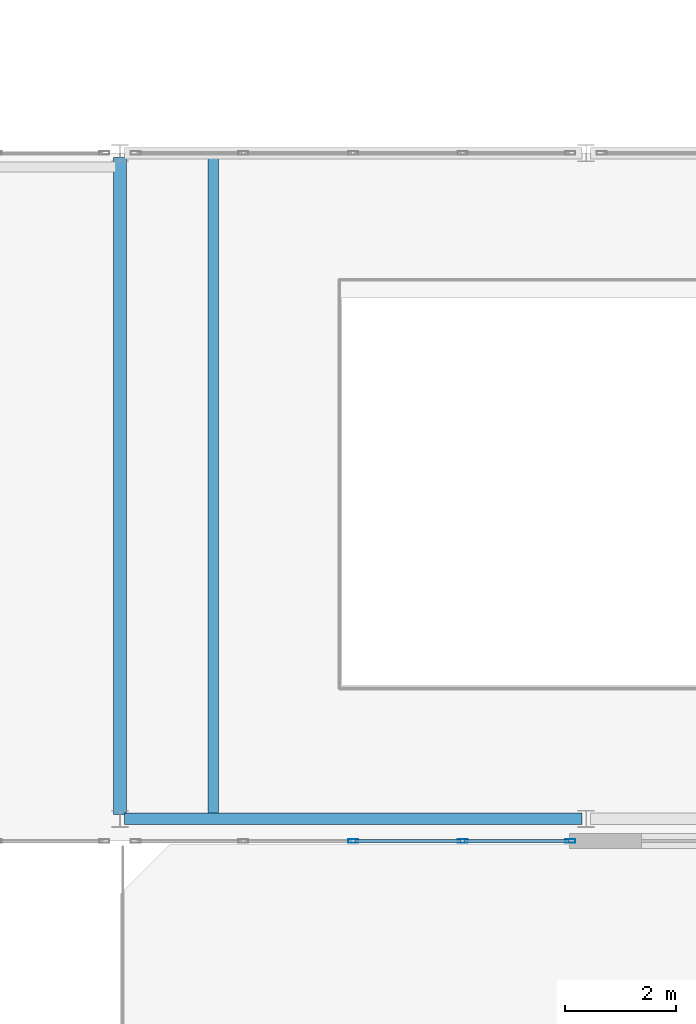
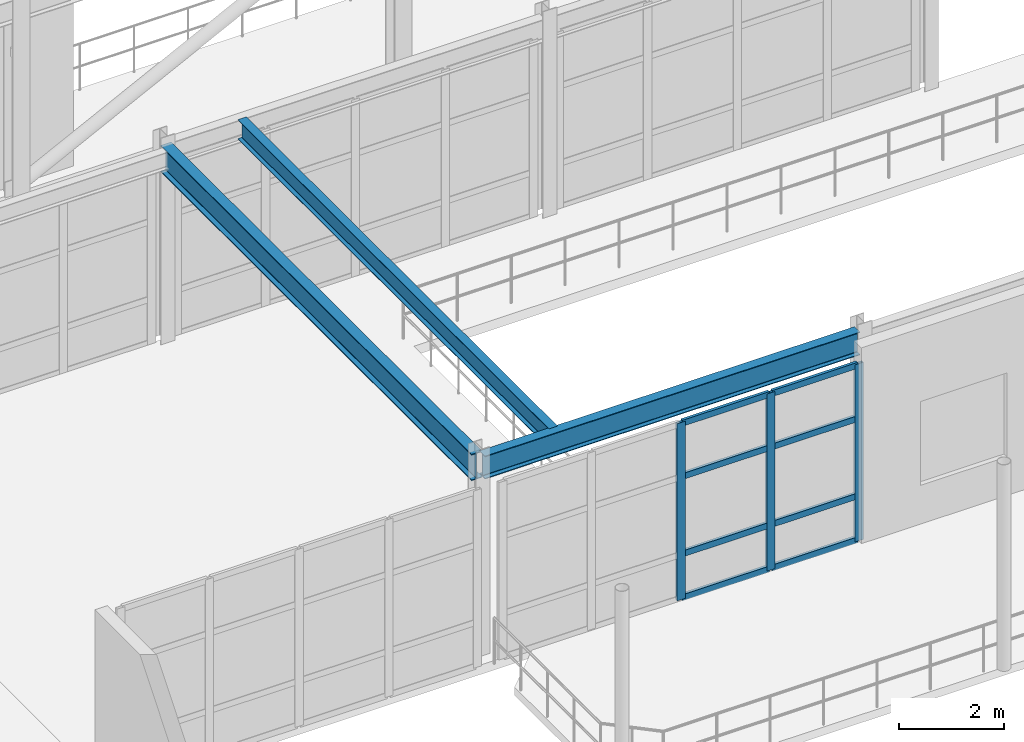
# One storey, part 27 of 116: 11 members, 3 beams, 1 element without a shape of its own.
"""IFC4 building model written with IfcOpenShell, lengths in metres."""

import ifcopenshell
import ifcopenshell.guid

model = None  # the IFC model being written
_history = None  # IfcOwnerHistory: only IFC2X3 demands one
_inside = {}  # id of a spatial element -> (the spatial element, [elements in it])
_under = {}  # id of a project, library or spatial element -> (it, [spatial elements below it])
_declared = {}  # id of a project -> (the project, [libraries it declares])
_typed = {}  # id of a type object -> (the type object, [elements of that type])
_made_of = {}  # id of a material, layer set ... -> (it, [elements and type objects made of it])


def new_model(schema):
    """Start an empty IFC model of exactly this schema.

    Asked for "IFC4X3", IfcOpenShell would pick the latest addendum, in which some entities
    have other attributes; the version numbers below select the first issue.
    IFC2X3 requires an IfcOwnerHistory on every rooted entity: one is made here for all.
    """
    global model, _history
    if schema == "IFC4X3":
        model = ifcopenshell.file(schema_version=(4, 3, 0, 0))
    else:
        model = ifcopenshell.file(schema=schema)
    _inside.clear()
    _under.clear()
    _declared.clear()
    _typed.clear()
    _made_of.clear()
    _history = None
    if model.schema == "IFC2X3":
        org = make("IfcOrganization", Name="unknown")
        user = make(
            "IfcPersonAndOrganization",
            ThePerson=make("IfcPerson", FamilyName="unknown"),
            TheOrganization=org,
        )
        app = make(
            "IfcApplication",
            ApplicationDeveloper=org,
            Version="unknown",
            ApplicationFullName="unknown",
            ApplicationIdentifier="unknown",
        )
        _history = make(
            "IfcOwnerHistory",
            OwningUser=user,
            OwningApplication=app,
            ChangeAction="ADDED",
            CreationDate=0,
        )
    return model


def make(cls, **values):
    """One entity of the class cls with the attributes given. An attribute that is None is left unset."""
    return model.create_entity(
        cls, **{name: value for name, value in values.items() if value is not None}
    )


def rooted(cls, **values):
    """An entity with a GlobalId (a new one), such as an element, a storey or a relation."""
    return make(cls, GlobalId=ifcopenshell.guid.new(), OwnerHistory=_history, **values)


def si_unit(unit_type, name, prefix=None):
    """IfcSIUnit, for example si_unit("LENGTHUNIT", "METRE", prefix="MILLI")."""
    return make("IfcSIUnit", UnitType=unit_type, Prefix=prefix, Name=name)


def assignment(units):
    """IfcUnitAssignment: the units of a project."""
    return None if units is None else make("IfcUnitAssignment", Units=units)


def point(xyz):
    """IfcCartesianPoint."""
    return None if xyz is None else make("IfcCartesianPoint", Coordinates=xyz)


def direction(xyz):
    """IfcDirection."""
    return None if xyz is None else make("IfcDirection", DirectionRatios=xyz)


def frame(location, z_axis=None, x_axis=None):
    """IfcAxis2Placement3D, a coordinate frame: its origin and axes. An axis left out is left unset."""
    return make(
        "IfcAxis2Placement3D",
        Location=point(location),
        Axis=direction(z_axis),
        RefDirection=direction(x_axis),
    )


def frame_2d(location, x_axis=None):
    """IfcAxis2Placement2D, a coordinate frame in the plane: its origin and x axis."""
    return make(
        "IfcAxis2Placement2D", Location=point(location), RefDirection=direction(x_axis)
    )


def origin():
    """The frame at (0, 0, 0) with its axes left unset."""
    return frame((0.0, 0.0, 0.0))


def origin_2d():
    """The frame at (0, 0) in the plane with its x axis left unset."""
    return frame_2d((0.0, 0.0))


def place(relative_to, where):
    """IfcLocalPlacement: puts the frame where relative to a parent placement (None: the world)."""
    return make(
        "IfcLocalPlacement", PlacementRelTo=relative_to, RelativePlacement=where
    )


def context(
    kind, dimensions, precision=None, world=None, true_north=None, identifier=None
):
    """IfcGeometricRepresentationContext, for example the 3D "Model" context."""
    return make(
        "IfcGeometricRepresentationContext",
        ContextIdentifier=identifier,
        ContextType=kind,
        CoordinateSpaceDimension=dimensions,
        Precision=precision,
        WorldCoordinateSystem=world,
        TrueNorth=true_north,
    )


def subcontext(parent, identifier, kind, view, scale=None):
    """IfcGeometricRepresentationSubContext, for example "Body" below "Model"."""
    return make(
        "IfcGeometricRepresentationSubContext",
        ContextIdentifier=identifier,
        ContextType=kind,
        ParentContext=parent,
        TargetScale=scale,
        TargetView=view,
    )


def project(units=None, contexts=None):
    """IfcProject with its units and contexts."""
    return rooted(
        "IfcProject",
        Name="project",
        RepresentationContexts=contexts,
        UnitsInContext=assignment(units),
    )


def spatial(cls, under=None, at=None, **own):
    """A site, building, storey or space (cls), placed at a placement, below another one or the project."""
    s = rooted(cls, ObjectPlacement=at, **own)
    if under is not None:
        _under.setdefault(under.id(), (under, []))[1].append(s)
    return s


def profile(cls, at=None, kind="AREA", **sizes):
    """A parametric profile (cls). Its sizes go by their IFC names, for example OverallWidth=200.0."""
    return make(cls, ProfileType=kind, Position=at, **sizes)


def hollow_rectangle(**sizes):
    """IfcRectangleHollowProfileDef."""
    return profile("IfcRectangleHollowProfileDef", **sizes)


def i_section(**sizes):
    """IfcIShapeProfileDef."""
    return profile("IfcIShapeProfileDef", **sizes)


def extrude(swept, where, along, depth):
    """IfcExtrudedAreaSolid: the profile swept, set in the frame where, extruded along a direction by depth."""
    return make(
        "IfcExtrudedAreaSolid",
        SweptArea=swept,
        Position=where,
        ExtrudedDirection=direction(along),
        Depth=depth,
    )


def shape(context_of_items, identifier, shape_type, items):
    """IfcShapeRepresentation: the items that make up one representation, for example the "Body"."""
    return make(
        "IfcShapeRepresentation",
        ContextOfItems=context_of_items,
        RepresentationIdentifier=identifier,
        RepresentationType=shape_type,
        Items=items,
    )


def material(Name=None, Category=None):
    """IfcMaterial."""
    return make("IfcMaterial", Name=Name, Category=Category)


def layer(
    of_material, thickness, ventilated=None, Name=None, Category=None, Priority=None
):
    """IfcMaterialLayer: one layer of a wall or slab, of a material (None: an air gap)."""
    return make(
        "IfcMaterialLayer",
        Material=of_material,
        LayerThickness=thickness,
        IsVentilated=ventilated,
        Name=Name,
        Category=Category,
        Priority=Priority,
    )


def layer_set(layers, Name=None):
    """IfcMaterialLayerSet."""
    return make("IfcMaterialLayerSet", MaterialLayers=layers, LayerSetName=Name)


def material_profile(
    of_material, cross_section, Name=None, Category=None, Priority=None
):
    """IfcMaterialProfile: a cross section and its material."""
    return make(
        "IfcMaterialProfile",
        Name=Name,
        Material=of_material,
        Profile=cross_section,
        Priority=Priority,
        Category=Category,
    )


def profile_set(profiles, Name=None, composite=None):
    """IfcMaterialProfileSet."""
    return make(
        "IfcMaterialProfileSet",
        Name=Name,
        MaterialProfiles=profiles,
        CompositeProfile=composite,
    )


def made_of(thing, what):
    """Note that an element or type object is made of a material, layer set ...; save() writes the relation."""
    if what is not None:
        _made_of.setdefault(what.id(), (what, []))[1].append(thing)
    return thing


def type_object(cls, material=None, **own):
    """A type object (cls), such as IfcWallType, which elements share."""
    return made_of(rooted(cls, **own), material)


def element(
    cls,
    number,
    at=None,
    inside=None,
    cuts=None,
    type_object=None,
    material=None,
    context=None,
    identifier="Body",
    shape_type=None,
    held_by="IfcProductDefinitionShape",
    body=None,
    shapes=None,
    **own,
):
    """One element of the class cls, such as IfcWall. Its Tag is "e" and its number.

    at: its placement. inside: the storey or other place that contains it. cuts: it is an
    opening in that element (IfcRelVoidsElement). A single representation is given by context,
    identifier, shape_type and body (its items); several are given by shapes. held_by: the class
    of the entity that holds the representations. save() writes the other relations.
    """
    e = rooted(cls, Tag="e%d" % number, ObjectPlacement=at, **own)
    if body is not None:
        shapes = [shape(context, identifier, shape_type, body)]
    if shapes is not None:
        e.Representation = make(held_by, Representations=shapes)
    if inside is not None:
        _inside.setdefault(inside.id(), (inside, []))[1].append(e)
    if cuts is not None:
        rooted(
            "IfcRelVoidsElement", RelatingBuildingElement=cuts, RelatedOpeningElement=e
        )
    if type_object is not None:
        _typed.setdefault(type_object.id(), (type_object, []))[1].append(e)
    return made_of(e, material)


def aggregate(whole, parts):
    """IfcRelAggregates: a whole, such as a stair, and the parts it consists of."""
    return rooted("IfcRelAggregates", RelatingObject=whole, RelatedObjects=parts)


def save(model, path):
    """Write the relations noted so far, then the file.

    IfcRelAggregates (storeys below a building ...), IfcRelContainedInSpatialStructure (elements
    in a storey), IfcRelDefinesByType, IfcRelAssociatesMaterial and IfcRelDeclares: one each for
    every whole, place, type object, material and project.
    """
    for whole, parts in _under.values():
        aggregate(whole, parts)
    for where, things in _inside.values():
        rooted(
            "IfcRelContainedInSpatialStructure",
            RelatedElements=things,
            RelatingStructure=where,
        )
    for kind, things in _typed.values():
        rooted("IfcRelDefinesByType", RelatedObjects=things, RelatingType=kind)
    for what, things in _made_of.values():
        rooted("IfcRelAssociatesMaterial", RelatedObjects=things, RelatingMaterial=what)
    for by, libraries in _declared.values():
        rooted("IfcRelDeclares", RelatingContext=by, RelatedDefinitions=libraries)
    model.write(path)


model = new_model("IFC4")

# Units and contexts
model_context = context("Model", 3, precision=1e-05, world=origin(), true_north=direction((0.0, 1.0)))
body_context = subcontext(model_context, "Body", "Model", "MODEL_VIEW")
ifc_project = project(units=[si_unit("LENGTHUNIT", "METRE"), si_unit("AREAUNIT", "SQUARE_METRE"), si_unit("VOLUMEUNIT", "CUBIC_METRE"), si_unit("PLANEANGLEUNIT", "RADIAN"), si_unit("MASSUNIT", "GRAM", prefix="KILO")], contexts=[model_context])

# Site, building, storey
site_placement = place(None, origin())
site = spatial("IfcSite", under=ifc_project, at=site_placement, CompositionType="ELEMENT")
building_placement = place(site_placement, origin())
building = spatial("IfcBuilding", under=site, at=building_placement, Name="Selat Folded Stagehouse", CompositionType="ELEMENT")
storey_placement = place(building_placement, frame((0.0, 0.0, 5.39990234375)))
storey = spatial("IfcBuildingStorey", under=building, at=storey_placement, Name="L01", CompositionType="ELEMENT", Elevation=5.39990234375)

# Beams
ifc_material_1 = material(Name="Steel S355", Category="steel")
ifc_material_profile_1 = material_profile(ifc_material_1, i_section(OverallWidth=0.209228515625, OverallDepth=0.533203125, WebThickness=0.010009765625, FlangeThickness=0.015625, FilletRadius=0.0126953125, at=origin_2d()), Name="UKB 533x210x92")
ifc_profile_set_1 = profile_set([ifc_material_profile_1], Name="Steel S355")
beam_type_1 = type_object("IfcBeamType", Name="BM-GIRD-533x210x92", PredefinedType="BEAM", material=ifc_profile_set_1)
beam_1_placement = place(storey_placement, frame((42.076904296875, 5.800048828125, 4.3134765625), z_axis=(1.0, 0.0, 0.0), x_axis=(0.0, 1.0, 0.0)))
element("IfcBeam", 1, at=beam_1_placement, inside=storey, type_object=beam_type_1, Name="L01 primary x-girder 0757", PredefinedType="BEAM", context=body_context, shape_type="SweptSolid", body=[
    extrude(i_section(OverallWidth=0.209228515625, OverallDepth=0.533203125, WebThickness=0.010009765625, FlangeThickness=0.015625, FilletRadius=0.0126953125, at=origin_2d()), origin(), (0.0, 0.0, 1.0), 8.24609375),
])
ifc_material_profile_2 = material_profile(ifc_material_1, i_section(OverallWidth=0.230224609375, OverallDepth=0.6171875, WebThickness=0.01318359375, FlangeThickness=0.022216796875, FilletRadius=0.0126953125, at=origin_2d()), Name="UKB 610x229x140")
ifc_profile_set_2 = profile_set([ifc_material_profile_2], Name="Steel S355")
beam_type_2 = type_object("IfcBeamType", Name="BM-GIRD-610x229x140", PredefinedType="BEAM", material=ifc_profile_set_2)
beam_2_placement = place(storey_placement, frame((42.0, 5.876953125, 4.271484375), z_axis=(0.0, 1.0, 0.0), x_axis=(-1.0, 0.0, 0.0)))
element("IfcBeam", 2, at=beam_2_placement, inside=storey, type_object=beam_type_2, Name="L01 primary y-girder 0819", PredefinedType="BEAM", context=body_context, shape_type="SweptSolid", body=[
    extrude(i_section(OverallWidth=0.230224609375, OverallDepth=0.6171875, WebThickness=0.01318359375, FlangeThickness=0.022216796875, FilletRadius=0.0126953125, at=origin_2d()), origin(), (0.0, 0.0, 1.0), 11.845947265625),
])

# Curtain wall, members
ifc_material_2 = material(Name="Aluminium 6063-T6", Category="aluminium")
ifc_layer = layer(ifc_material_2, 0.2099609375)
ifc_layer_set = layer_set([ifc_layer], Name="Aluminium 6063-T6")
curtain_wall_type = type_object("IfcCurtainWallType", Name="CW-FYR-SOUTH", PredefinedType="NOTDEFINED", material=ifc_layer_set)
curtain_wall_placement = place(storey_placement, origin())
curtain_wall = element("IfcCurtainWall", 3, at=curtain_wall_placement, inside=storey, type_object=curtain_wall_type, Name="L01 curtain wall CW-FYR-L01-01", PredefinedType="NOTDEFINED")
ifc_material_profile_3 = material_profile(ifc_material_2, hollow_rectangle(XDim=0.06494140625, YDim=0.179931640625, WallThickness=0.00390625, at=origin_2d()), Name="ALU 180x65x4.0")
ifc_profile_set_3 = profile_set([ifc_material_profile_3], Name="Aluminium 6063-T6")
member_type_1 = type_object("IfcMemberType", Name="CWM-MUL-180x65", PredefinedType="MULLION", material=ifc_profile_set_3)
member_1_placement = place(storey_placement, frame((50.117431640625, 5.39990234375, 0.0), z_axis=(0.0, 0.0, 1.0), x_axis=(0.0, -1.0, 0.0)))
member_1 = element("IfcMember", 4, at=member_1_placement, type_object=member_type_1, Name="CW-04 mullion 1", PredefinedType="MULLION", context=body_context, shape_type="SweptSolid", body=[
    extrude(hollow_rectangle(XDim=0.06494140625, YDim=0.179931640625, WallThickness=0.00390625, at=origin_2d()), origin(), (0.0, 0.0, 1.0), 4.1201171875),
])
member_2_placement = place(storey_placement, frame((48.175048828125, 5.39990234375, 0.0), z_axis=(0.0, 0.0, 1.0), x_axis=(0.0, -1.0, 0.0)))
member_2 = element("IfcMember", 5, at=member_2_placement, type_object=member_type_1, Name="CW-04 mullion 2", PredefinedType="MULLION", context=body_context, shape_type="SweptSolid", body=[
    extrude(hollow_rectangle(XDim=0.06494140625, YDim=0.179931640625, WallThickness=0.00390625, at=origin_2d()), origin(), (0.0, 0.0, 1.0), 4.1201171875),
])
member_3_placement = place(storey_placement, frame((46.199951171875, 5.39990234375, 0.0), z_axis=(0.0, 0.0, 1.0), x_axis=(0.0, -1.0, 0.0)))
member_3 = element("IfcMember", 6, at=member_3_placement, type_object=member_type_1, Name="CW-04 mullion 3", PredefinedType="MULLION", context=body_context, shape_type="SweptSolid", body=[
    extrude(hollow_rectangle(XDim=0.06494140625, YDim=0.179931640625, WallThickness=0.00390625, at=origin_2d()), origin(), (0.0, 0.0, 1.0), 4.1201171875),
])
ifc_material_profile_4 = material_profile(ifc_material_2, hollow_rectangle(XDim=0.06494140625, YDim=0.139892578125, WallThickness=0.00390625, at=origin_2d()), Name="ALU 140x65x4.0")
ifc_profile_set_4 = profile_set([ifc_material_profile_4], Name="Aluminium 6063-T6")
member_type_2 = type_object("IfcMemberType", Name="CWM-TRN-140x65", PredefinedType="USERDEFINED", material=ifc_profile_set_4)
member_4_placement = place(storey_placement, frame((50.0849609375, 5.39990234375, 0.03271484375), z_axis=(-1.0, 0.0, 0.0), x_axis=(0.0, -1.0, 0.0)))
member_4 = element("IfcMember", 7, at=member_4_placement, type_object=member_type_2, Name="CW-04 transom 1.1", ObjectType="TRANSOM", PredefinedType="USERDEFINED", context=body_context, shape_type="SweptSolid", body=[
    extrude(hollow_rectangle(XDim=0.06494140625, YDim=0.139892578125, WallThickness=0.00390625, at=origin_2d()), origin(), (0.0, 0.0, 1.0), 1.87744140625),
])
member_5_placement = place(storey_placement, frame((50.0849609375, 5.39990234375, 1.050048828125), z_axis=(-1.0, 0.0, 0.0), x_axis=(0.0, -1.0, 0.0)))
member_5 = element("IfcMember", 8, at=member_5_placement, type_object=member_type_2, Name="CW-04 transom 1.2", ObjectType="TRANSOM", PredefinedType="USERDEFINED", context=body_context, shape_type="SweptSolid", body=[
    extrude(hollow_rectangle(XDim=0.06494140625, YDim=0.139892578125, WallThickness=0.00390625, at=origin_2d()), origin(), (0.0, 0.0, 1.0), 1.87744140625),
])
member_6_placement = place(storey_placement, frame((50.0849609375, 5.39990234375, 2.85009765625), z_axis=(-1.0, 0.0, 0.0), x_axis=(0.0, -1.0, 0.0)))
member_6 = element("IfcMember", 9, at=member_6_placement, type_object=member_type_2, Name="CW-04 transom 1.3", ObjectType="TRANSOM", PredefinedType="USERDEFINED", context=body_context, shape_type="SweptSolid", body=[
    extrude(hollow_rectangle(XDim=0.06494140625, YDim=0.139892578125, WallThickness=0.00390625, at=origin_2d()), origin(), (0.0, 0.0, 1.0), 1.87744140625),
])
member_7_placement = place(storey_placement, frame((50.0849609375, 5.39990234375, 4.087646484375), z_axis=(-1.0, 0.0, 0.0), x_axis=(0.0, -1.0, 0.0)))
member_7 = element("IfcMember", 10, at=member_7_placement, type_object=member_type_2, Name="CW-04 transom 1.4", ObjectType="TRANSOM", PredefinedType="USERDEFINED", context=body_context, shape_type="SweptSolid", body=[
    extrude(hollow_rectangle(XDim=0.06494140625, YDim=0.139892578125, WallThickness=0.00390625, at=origin_2d()), origin(), (0.0, 0.0, 1.0), 1.87744140625),
])
member_8_placement = place(storey_placement, frame((48.142578125, 5.39990234375, 0.03271484375), z_axis=(-1.0, 0.0, 0.0), x_axis=(0.0, -1.0, 0.0)))
member_8 = element("IfcMember", 11, at=member_8_placement, type_object=member_type_2, Name="CW-04 transom 2.1", ObjectType="TRANSOM", PredefinedType="USERDEFINED", context=body_context, shape_type="SweptSolid", body=[
    extrude(hollow_rectangle(XDim=0.06494140625, YDim=0.139892578125, WallThickness=0.00390625, at=origin_2d()), origin(), (0.0, 0.0, 1.0), 1.91015625),
])
member_9_placement = place(storey_placement, frame((48.142578125, 5.39990234375, 1.050048828125), z_axis=(-1.0, 0.0, 0.0), x_axis=(0.0, -1.0, 0.0)))
member_9 = element("IfcMember", 12, at=member_9_placement, type_object=member_type_2, Name="CW-04 transom 2.2", ObjectType="TRANSOM", PredefinedType="USERDEFINED", context=body_context, shape_type="SweptSolid", body=[
    extrude(hollow_rectangle(XDim=0.06494140625, YDim=0.139892578125, WallThickness=0.00390625, at=origin_2d()), origin(), (0.0, 0.0, 1.0), 1.91015625),
])
member_10_placement = place(storey_placement, frame((48.142578125, 5.39990234375, 2.85009765625), z_axis=(-1.0, 0.0, 0.0), x_axis=(0.0, -1.0, 0.0)))
member_10 = element("IfcMember", 13, at=member_10_placement, type_object=member_type_2, Name="CW-04 transom 2.3", ObjectType="TRANSOM", PredefinedType="USERDEFINED", context=body_context, shape_type="SweptSolid", body=[
    extrude(hollow_rectangle(XDim=0.06494140625, YDim=0.139892578125, WallThickness=0.00390625, at=origin_2d()), origin(), (0.0, 0.0, 1.0), 1.91015625),
])
member_11_placement = place(storey_placement, frame((48.142578125, 5.39990234375, 4.087646484375), z_axis=(-1.0, 0.0, 0.0), x_axis=(0.0, -1.0, 0.0)))
member_11 = element("IfcMember", 14, at=member_11_placement, type_object=member_type_2, Name="CW-04 transom 2.4", ObjectType="TRANSOM", PredefinedType="USERDEFINED", context=body_context, shape_type="SweptSolid", body=[
    extrude(hollow_rectangle(XDim=0.06494140625, YDim=0.139892578125, WallThickness=0.00390625, at=origin_2d()), origin(), (0.0, 0.0, 1.0), 1.91015625),
])
aggregate(curtain_wall, [member_1, member_2, member_3, member_4, member_5, member_6, member_7, member_8, member_9, member_10, member_11])

# Beam
ifc_material_profile_5 = material_profile(ifc_material_1, i_section(OverallWidth=0.18994140625, OverallDepth=0.453369140625, WebThickness=0.008544921875, FlangeThickness=0.0126953125, FilletRadius=0.01025390625, at=origin_2d()), Name="UKB 457x191x67")
ifc_profile_set_5 = profile_set([ifc_material_profile_5], Name="Steel S355")
beam_type_3 = type_object("IfcBeamType", Name="JST-457x191x67", PredefinedType="JOIST", material=ifc_profile_set_5)
beam_3_placement = place(storey_placement, frame((43.679931640625, 5.873291015625, 4.353515625), z_axis=(0.0, 1.0, 0.0), x_axis=(-1.0, 0.0, 0.0)))
element("IfcBeam", 15, at=beam_3_placement, inside=storey, type_object=beam_type_3, Name="L01 secondary floor joist 0871", PredefinedType="JOIST", context=body_context, shape_type="SweptSolid", body=[
    extrude(i_section(OverallWidth=0.18994140625, OverallDepth=0.453369140625, WebThickness=0.008544921875, FlangeThickness=0.0126953125, FilletRadius=0.01025390625, at=origin_2d()), origin(), (0.0, 0.0, 1.0), 11.853515625),
])

save(model, "model.ifc")
